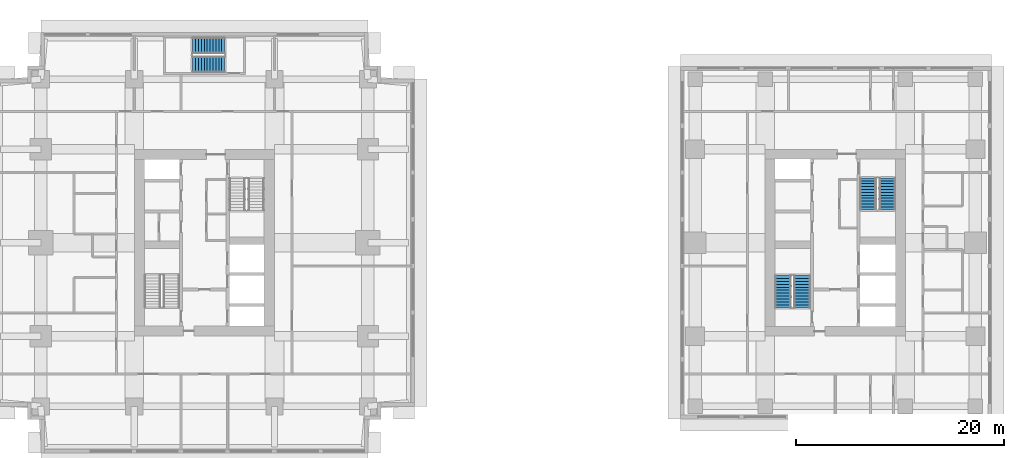
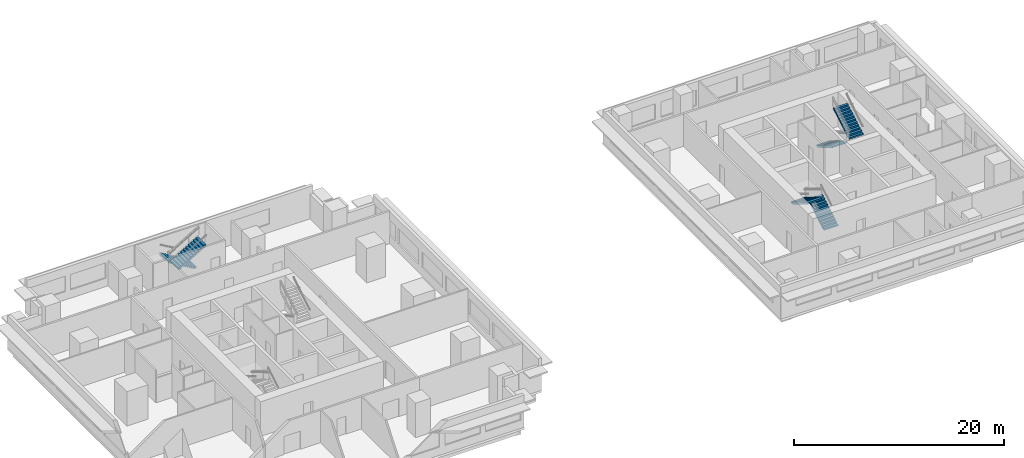
# One storey, part 9 of 11: 6 stair flights, 3 elements without a shape of their own.
"""IFC4 building model written with IfcOpenShell, lengths in metres."""

from ifc_helpers import new_model, si_unit, direction, frame, origin, place, context, subcontext, project, spatial, polyline, outline, extrude, material, type_object, element, aggregate, save


model = new_model("IFC4")

# Units and contexts
model_context = context("Model", 3, precision=1e-05, world=origin(), true_north=direction((0.0, 1.0)))
body_context = subcontext(model_context, "Body", "Model", "MODEL_VIEW")
ifc_project = project(units=[si_unit("LENGTHUNIT", "METRE"), si_unit("AREAUNIT", "SQUARE_METRE"), si_unit("VOLUMEUNIT", "CUBIC_METRE"), si_unit("PLANEANGLEUNIT", "RADIAN"), si_unit("MASSUNIT", "GRAM", prefix="KILO")], contexts=[model_context])

# Site, building, storey
site_placement = place(None, origin())
site = spatial("IfcSite", under=ifc_project, at=site_placement, CompositionType="ELEMENT")
building_placement = place(site_placement, origin())
building = spatial("IfcBuilding", under=site, at=building_placement, Name="Namib Vertical Campus", CompositionType="ELEMENT")
storey_placement = place(building_placement, frame((0.0, 0.0, 189.0)))
storey = spatial("IfcBuildingStorey", under=building, at=storey_placement, Name="L44", CompositionType="ELEMENT", Elevation=189.0)

# Stair, stair flights
ifc_material_1 = material(Name="Concrete C40/50 precast", Category="concrete")
stair_type_1 = type_object("IfcStairType", Name="Exit stair 4000 rise 24 risers 3350 wide", PredefinedType="HALF_TURN_STAIR", material=ifc_material_1)
stair_1_placement = place(storey_placement, origin())
stair_1 = element("IfcStair", 1, at=stair_1_placement, inside=storey, type_object=stair_type_1, Name="Exit stair A-S3 L44", PredefinedType="HALF_TURN_STAIR")
ifc_material_2 = material(Name="Concrete C40/50 precast", Category="concrete")
stair_flight_type_1 = type_object("IfcStairFlightType", Name="Stair flight 12 risers 167 1525 wide", PredefinedType="STRAIGHT", material=ifc_material_2)
stair_flight_1_placement = place(storey_placement, frame((22.199951171875, 39.237548828125, 0.0), z_axis=(0.0, 0.0, 1.0), x_axis=(-1.0, 0.0, 0.0)))
stair_flight_1 = element("IfcStairFlight", 2, at=stair_flight_1_placement, type_object=stair_flight_type_1, Name="A-S3 flight 1", NumberOfRisers=12, NumberOfTreads=11, PredefinedType="STRAIGHT", RiserHeight=0.166666667, TreadLength=0.28, context=body_context, shape_type="SweptSolid", body=[
    extrude(outline(polyline([(0.0, 0.0), (0.0, 0.166748046875), (0.280029296875, 0.166748046875), (0.280029296875, 0.333251953125), (0.56005859375, 0.333251953125), (0.56005859375, 0.5), (0.840087890625, 0.5), (0.840087890625, 0.666748046875), (1.1201171875, 0.666748046875), (1.1201171875, 0.833251953125), (1.39990234375, 0.833251953125), (1.39990234375, 1.0), (1.679931640625, 1.0), (1.679931640625, 1.166748046875), (1.9599609375, 1.166748046875), (1.9599609375, 1.333251953125), (2.239990234375, 1.333251953125), (2.239990234375, 1.5), (2.52001953125, 1.5), (2.52001953125, 1.666748046875), (2.800048828125, 1.666748046875), (2.800048828125, 1.833251953125), (3.080078125, 1.833251953125), (3.080078125, 2.0), (3.080078125, 1.658935546875), (0.29296875, 0.0), (0.0, 0.0)])), frame((0.0, 0.762451171875, 0.0), z_axis=(0.0, -1.0, 0.0), x_axis=(1.0, 0.0, 0.0)), (0.0, 0.0, 1.0), 1.52490234375),
])
stair_flight_2_placement = place(storey_placement, frame((19.1201171875, 37.41259765625, 2.0), z_axis=(0.0, 0.0, 1.0), x_axis=(1.0, 0.0, 0.0)))
stair_flight_2 = element("IfcStairFlight", 3, at=stair_flight_2_placement, type_object=stair_flight_type_1, Name="A-S3 flight 2", NumberOfRisers=12, NumberOfTreads=11, PredefinedType="STRAIGHT", RiserHeight=0.166666667, TreadLength=0.28, context=body_context, shape_type="SweptSolid", body=[
    extrude(outline(polyline([(0.0, 0.0), (0.0, 0.166748046875), (0.280029296875, 0.166748046875), (0.280029296875, 0.333251953125), (0.56005859375, 0.333251953125), (0.56005859375, 0.5), (0.840087890625, 0.5), (0.840087890625, 0.666748046875), (1.1201171875, 0.666748046875), (1.1201171875, 0.833251953125), (1.39990234375, 0.833251953125), (1.39990234375, 1.0), (1.679931640625, 1.0), (1.679931640625, 1.166748046875), (1.9599609375, 1.166748046875), (1.9599609375, 1.333251953125), (2.239990234375, 1.333251953125), (2.239990234375, 1.5), (2.52001953125, 1.5), (2.52001953125, 1.666748046875), (2.800048828125, 1.666748046875), (2.800048828125, 1.833251953125), (3.080078125, 1.833251953125), (3.080078125, 2.0), (3.080078125, 1.658935546875), (0.29296875, 0.0), (0.0, 0.0)])), frame((0.0, 0.762451171875, 0.0), z_axis=(0.0, -1.0, 0.0), x_axis=(1.0, 0.0, 0.0)), (0.0, 0.0, 1.0), 1.52490234375),
])
aggregate(stair_1, [stair_flight_1, stair_flight_2])

ifc_material_3 = material(Name="Concrete C40/50 precast", Category="concrete")
stair_type_2 = type_object("IfcStairType", Name="Exit stair 4000 rise 24 risers 3400 wide", PredefinedType="HALF_TURN_STAIR", material=ifc_material_3)
stair_2_placement = place(storey_placement, origin())
stair_2 = element("IfcStair", 4, at=stair_2_placement, inside=storey, type_object=stair_type_2, Name="Exit stair B-S1 L44", PredefinedType="HALF_TURN_STAIR")
ifc_material_4 = material(Name="Concrete C40/50 precast", Category="concrete")
stair_flight_type_2 = type_object("IfcStairFlightType", Name="Stair flight 12 risers 167 1550 wide", PredefinedType="STRAIGHT", material=ifc_material_4)
stair_flight_3_placement = place(storey_placement, frame((77.824951171875, 14.0, 0.0), z_axis=(0.0, 0.0, 1.0), x_axis=(0.0, 1.0, 0.0)))
stair_flight_3 = element("IfcStairFlight", 5, at=stair_flight_3_placement, type_object=stair_flight_type_2, Name="B-S1 flight 1", NumberOfRisers=12, NumberOfTreads=11, PredefinedType="STRAIGHT", RiserHeight=0.166666667, TreadLength=0.28, context=body_context, shape_type="SweptSolid", body=[
    extrude(outline(polyline([(0.0, 0.0), (0.0, 0.166748046875), (0.280029296875, 0.166748046875), (0.280029296875, 0.333251953125), (0.56005859375, 0.333251953125), (0.56005859375, 0.5), (0.840087890625, 0.5), (0.840087890625, 0.666748046875), (1.1201171875, 0.666748046875), (1.1201171875, 0.833251953125), (1.39990234375, 0.833251953125), (1.39990234375, 1.0), (1.679931640625, 1.0), (1.679931640625, 1.166748046875), (1.9599609375, 1.166748046875), (1.9599609375, 1.333251953125), (2.239990234375, 1.333251953125), (2.239990234375, 1.5), (2.52001953125, 1.5), (2.52001953125, 1.666748046875), (2.800048828125, 1.666748046875), (2.800048828125, 1.833251953125), (3.080078125, 1.833251953125), (3.080078125, 2.0), (3.080078125, 1.658935546875), (0.29296875, 0.0), (0.0, 0.0)])), frame((0.0, 0.77490234375, 0.0), z_axis=(0.0, -1.0, 0.0), x_axis=(1.0, 0.0, 0.0)), (0.0, 0.0, 1.0), 1.550048828125),
])
stair_flight_4_placement = place(storey_placement, frame((75.97509765625, 17.080078125, 2.0), z_axis=(0.0, 0.0, 1.0), x_axis=(0.0, -1.0, 0.0)))
stair_flight_4 = element("IfcStairFlight", 6, at=stair_flight_4_placement, type_object=stair_flight_type_2, Name="B-S1 flight 2", NumberOfRisers=12, NumberOfTreads=11, PredefinedType="STRAIGHT", RiserHeight=0.166666667, TreadLength=0.28, context=body_context, shape_type="SweptSolid", body=[
    extrude(outline(polyline([(0.0, 0.0), (0.0, 0.166748046875), (0.280029296875, 0.166748046875), (0.280029296875, 0.333251953125), (0.56005859375, 0.333251953125), (0.56005859375, 0.5), (0.840087890625, 0.5), (0.840087890625, 0.666748046875), (1.1201171875, 0.666748046875), (1.1201171875, 0.833251953125), (1.39990234375, 0.833251953125), (1.39990234375, 1.0), (1.679931640625, 1.0), (1.679931640625, 1.166748046875), (1.9599609375, 1.166748046875), (1.9599609375, 1.333251953125), (2.239990234375, 1.333251953125), (2.239990234375, 1.5), (2.52001953125, 1.5), (2.52001953125, 1.666748046875), (2.800048828125, 1.666748046875), (2.800048828125, 1.833251953125), (3.080078125, 1.833251953125), (3.080078125, 2.0), (3.080078125, 1.658935546875), (0.29296875, 0.0), (0.0, 0.0)])), frame((0.0, 0.77490234375, 0.0), z_axis=(0.0, -1.0, 0.0), x_axis=(1.0, 0.0, 0.0)), (0.0, 0.0, 1.0), 1.550048828125),
])
aggregate(stair_2, [stair_flight_3, stair_flight_4])

stair_3_placement = place(storey_placement, origin())
stair_3 = element("IfcStair", 7, at=stair_3_placement, inside=storey, type_object=stair_type_2, Name="Exit stair B-S2 L44", PredefinedType="HALF_TURN_STAIR")
stair_flight_5_placement = place(storey_placement, frame((84.175048828125, 26.5, 0.0), z_axis=(0.0, 0.0, 1.0), x_axis=(0.0, -1.0, 0.0)))
stair_flight_5 = element("IfcStairFlight", 8, at=stair_flight_5_placement, type_object=stair_flight_type_2, Name="B-S2 flight 1", NumberOfRisers=12, NumberOfTreads=11, PredefinedType="STRAIGHT", RiserHeight=0.166666667, TreadLength=0.28, context=body_context, shape_type="SweptSolid", body=[
    extrude(outline(polyline([(0.0, 0.0), (0.0, 0.166748046875), (0.280029296875, 0.166748046875), (0.280029296875, 0.333251953125), (0.56005859375, 0.333251953125), (0.56005859375, 0.5), (0.840087890625, 0.5), (0.840087890625, 0.666748046875), (1.1201171875, 0.666748046875), (1.1201171875, 0.833251953125), (1.39990234375, 0.833251953125), (1.39990234375, 1.0), (1.679931640625, 1.0), (1.679931640625, 1.166748046875), (1.9599609375, 1.166748046875), (1.9599609375, 1.333251953125), (2.239990234375, 1.333251953125), (2.239990234375, 1.5), (2.52001953125, 1.5), (2.52001953125, 1.666748046875), (2.800048828125, 1.666748046875), (2.800048828125, 1.833251953125), (3.080078125, 1.833251953125), (3.080078125, 2.0), (3.080078125, 1.658935546875), (0.29296875, 0.0), (0.0, 0.0)])), frame((0.0, 0.77490234375, 0.0), z_axis=(0.0, -1.0, 0.0), x_axis=(1.0, 0.0, 0.0)), (0.0, 0.0, 1.0), 1.550048828125),
])
stair_flight_6_placement = place(storey_placement, frame((86.02490234375, 23.419921875, 2.0), z_axis=(0.0, 0.0, 1.0), x_axis=(0.0, 1.0, 0.0)))
stair_flight_6 = element("IfcStairFlight", 9, at=stair_flight_6_placement, type_object=stair_flight_type_2, Name="B-S2 flight 2", NumberOfRisers=12, NumberOfTreads=11, PredefinedType="STRAIGHT", RiserHeight=0.166666667, TreadLength=0.28, context=body_context, shape_type="SweptSolid", body=[
    extrude(outline(polyline([(0.0, 0.0), (0.0, 0.166748046875), (0.280029296875, 0.166748046875), (0.280029296875, 0.333251953125), (0.56005859375, 0.333251953125), (0.56005859375, 0.5), (0.840087890625, 0.5), (0.840087890625, 0.666748046875), (1.1201171875, 0.666748046875), (1.1201171875, 0.833251953125), (1.39990234375, 0.833251953125), (1.39990234375, 1.0), (1.679931640625, 1.0), (1.679931640625, 1.166748046875), (1.9599609375, 1.166748046875), (1.9599609375, 1.333251953125), (2.239990234375, 1.333251953125), (2.239990234375, 1.5), (2.52001953125, 1.5), (2.52001953125, 1.666748046875), (2.800048828125, 1.666748046875), (2.800048828125, 1.833251953125), (3.080078125, 1.833251953125), (3.080078125, 2.0), (3.080078125, 1.658935546875), (0.29296875, 0.0), (0.0, 0.0)])), frame((0.0, 0.77490234375, 0.0), z_axis=(0.0, -1.0, 0.0), x_axis=(1.0, 0.0, 0.0)), (0.0, 0.0, 1.0), 1.550048828125),
])
aggregate(stair_3, [stair_flight_5, stair_flight_6])

save(model, "model.ifc")
